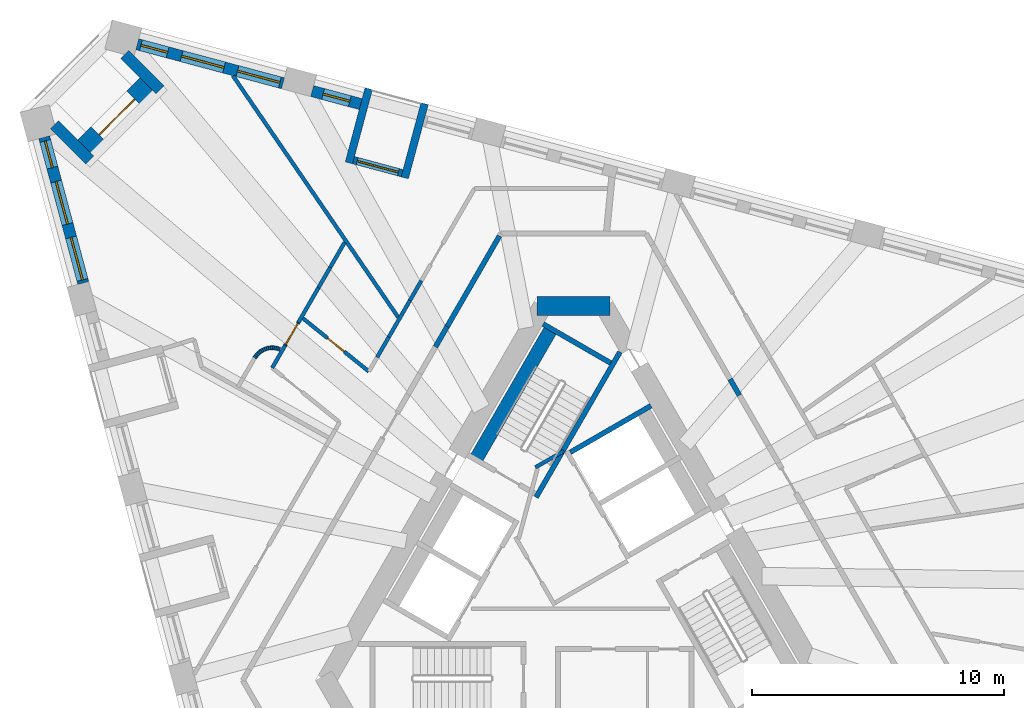
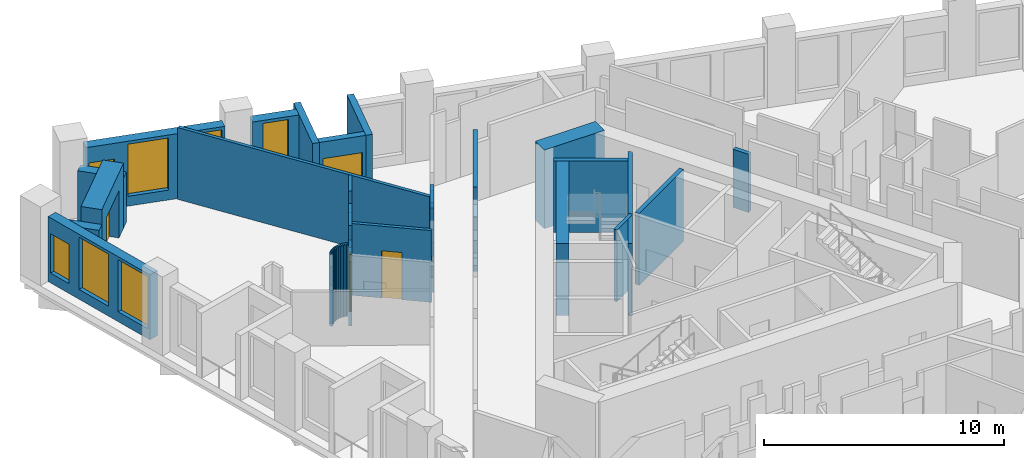
# One storey, part 7 of 13: 43 walls, 7 windows, 4 doors, 11 openings.
"""IFC4 building model written with IfcOpenShell, lengths in metres."""

from ifc_helpers import new_model, si_unit, direction, frame, frame_2d, origin, place, context, subcontext, project, spatial, rectangle, extrude, material, layer, layer_set, type_object, element, fill, save


model = new_model("IFC4")

# Units and contexts
model_context = context("Model", 3, precision=1e-05, world=origin(), true_north=direction((0.0, 1.0)))
body_context = subcontext(model_context, "Body", "Model", "MODEL_VIEW")
ifc_project = project(units=[si_unit("LENGTHUNIT", "METRE"), si_unit("AREAUNIT", "SQUARE_METRE"), si_unit("VOLUMEUNIT", "CUBIC_METRE"), si_unit("PLANEANGLEUNIT", "RADIAN"), si_unit("MASSUNIT", "GRAM", prefix="KILO")], contexts=[model_context])

# Site, building, storey
site_placement = place(None, origin())
site = spatial("IfcSite", under=ifc_project, at=site_placement, CompositionType="ELEMENT")
building_placement = place(site_placement, origin())
building = spatial("IfcBuilding", under=site, at=building_placement, Name="Tramontana Tower", CompositionType="ELEMENT")
storey_placement = place(building_placement, frame((0.0, 0.0, 216.0)))
storey = spatial("IfcBuildingStorey", under=building, at=storey_placement, Name="L50", CompositionType="ELEMENT", Elevation=216.0)

# Walls
ifc_material_1 = material(Name="Concrete 70 MPa", Category="concrete")
ifc_layer_1 = layer(ifc_material_1, 0.75)
ifc_layer_set_1 = layer_set([ifc_layer_1], Name="Core wall 750 70 MPa")
wall_type_1 = type_object("IfcWallType", Name="Core wall 750 70 MPa", PredefinedType="SHEAR", material=ifc_layer_set_1)
wall_1_placement = place(storey_placement, frame((1.443359375, 10.625, 0.0), z_axis=(0.0, 0.0, 1.0), x_axis=(-1.0, 0.0, 0.0)))
element("IfcWall", 1, at=wall_1_placement, inside=storey, type_object=wall_type_1, Name="Core wall C0 L50", PredefinedType="SHEAR", context=body_context, shape_type="SweptSolid", body=[
    extrude(rectangle(XDim=2.88671875, YDim=0.75, at=frame_2d((1.443359375, 0.0))), origin(), (0.0, 0.0, 1.0), 4.0),
])
ifc_material_2 = material(Name="Blockwork", Category="masonry")
ifc_layer_2 = layer(ifc_material_2, 0.199951171875)
ifc_layer_set_2 = layer_set([ifc_layer_2], Name="ENTRY WALL 200")
wall_type_2 = type_object("IfcWallType", Name="ENTRY WALL 200", PredefinedType="SOLIDWALL", material=ifc_layer_set_2)
wall_2_placement = place(storey_placement, frame((6.22412109375, 7.719482421875, 0.0), z_axis=(0.0, 0.0, 1.0), x_axis=(0.499931655587, -0.866064858854, 0.0)))
element("IfcWall", 2, at=wall_2_placement, inside=storey, type_object=wall_type_2, Name="Wall v51-ew0-3", PredefinedType="SOLIDWALL", context=body_context, shape_type="SweptSolid", body=[
    extrude(rectangle(XDim=0.74072265625, YDim=0.199951171875, at=frame_2d((0.370361328125, 0.0))), origin(), (0.0, 0.0, 1.0), 2.949951171875),
])
wall_3_placement = place(storey_placement, frame((-5.482666015625, 9.003662109375, 0.0), z_axis=(0.0, 0.0, 1.0), x_axis=(0.499971966783, 0.866041588165, 0.0)))
element("IfcWall", 3, at=wall_3_placement, inside=storey, type_object=wall_type_2, Name="Wall v51-ew4-11", PredefinedType="SOLIDWALL", context=body_context, shape_type="SweptSolid", body=[
    extrude(rectangle(XDim=0.931640625, YDim=0.199951171875, at=frame_2d((0.4658203125, 0.0))), origin(), (0.0, 0.0, 1.0), 2.75),
])
wall_4_placement = place(storey_placement, frame((-5.016845703125, 9.810546875, 0.0), z_axis=(0.0, 0.0, 1.0), x_axis=(0.499993700073, 0.866029041019, 0.0)))
element("IfcWall", 4, at=wall_4_placement, inside=storey, type_object=wall_type_2, Name="Wall v51-ew4-12", PredefinedType="SOLIDWALL", context=body_context, shape_type="SweptSolid", body=[
    extrude(rectangle(XDim=4.1552734375, YDim=0.199951171875, at=frame_2d((2.07763671875, 0.0))), origin(), (0.0, 0.0, 1.0), 3.64990234375),
])

# Wall, openings, windows
ifc_material_3 = material(Name="Precast concrete 60 MPa", Category="concrete")
ifc_layer_3 = layer(ifc_material_3, 0.449951171875)
ifc_layer_set_3 = layer_set([ifc_layer_3], Name="Precast concrete 60 MPa, 450 mm")
wall_type_3 = type_object("IfcWallType", Name="EW1 Stone-faced precast wall 450", PredefinedType="SOLIDWALL", material=ifc_layer_set_3)
wall_5_placement = place(storey_placement, frame((-21.027099609375, 17.3310546875, 0.0), z_axis=(0.0, 0.0, 1.0), x_axis=(0.258831089404, -0.965922598948, 0.0)))
wall_5 = element("IfcWall", 5, at=wall_5_placement, inside=storey, type_object=wall_type_3, Name="External wall L50 face 0 bay 1", PredefinedType="SOLIDWALL", context=body_context, shape_type="SweptSolid", body=[
    extrude(rectangle(XDim=5.994384765625, YDim=0.449951171875, at=frame_2d((2.9970703125, 0.0))), origin(), (0.0, 0.0, 1.0), 3.300048828125),
])
opening_1_placement = place(wall_5_placement, frame((0.14892578125, 0.0, 0.5)))
opening_1 = element("IfcOpeningElement", 6, at=opening_1_placement, cuts=wall_5, Name="Opening N2L", PredefinedType="OPENING", context=body_context, shape_type="SweptSolid", body=[
    extrude(rectangle(XDim=1.10009765625, YDim=2.0, at=frame_2d((0.550048828125, 1.0))), frame((0.0, 0.23486328125, 0.0), z_axis=(0.0, -1.0, 0.0), x_axis=(1.0, 0.0, 0.0)), (0.0, 0.0, 1.0), 0.469970703125),
])
opening_2_placement = place(wall_5_placement, frame((1.822021484375, 0.0, 0.5)))
opening_2 = element("IfcOpeningElement", 7, at=opening_2_placement, cuts=wall_5, Name="Opening M2", PredefinedType="OPENING", context=body_context, shape_type="SweptSolid", body=[
    extrude(rectangle(XDim=1.75, YDim=2.64990234375, at=frame_2d((0.875, 1.324951171875))), frame((0.0, 0.23486328125, 0.0), z_axis=(0.0, -1.0, 0.0), x_axis=(1.0, 0.0, 0.0)), (0.0, 0.0, 1.0), 0.469970703125),
])
opening_3_placement = place(wall_5_placement, frame((4.1201171875, 0.0, 0.5)))
opening_3 = element("IfcOpeningElement", 8, at=opening_3_placement, cuts=wall_5, Name="Opening M2", PredefinedType="OPENING", context=body_context, shape_type="SweptSolid", body=[
    extrude(rectangle(XDim=1.75, YDim=2.64990234375, at=frame_2d((0.875, 1.324951171875))), frame((0.0, 0.23486328125, 0.0), z_axis=(0.0, -1.0, 0.0), x_axis=(1.0, 0.0, 0.0)), (0.0, 0.0, 1.0), 0.469970703125),
])
ifc_material_4 = material(Name="Aluminum frame, double glazing unit", Category="aluminium")
window_type_1 = type_object("IfcWindowType", Name="M2 Window 1.75 x 2.65", PartitioningType="SINGLE_PANEL", PredefinedType="WINDOW", material=ifc_material_4)
window_1_placement = place(opening_2_placement, origin())
window_1 = element("IfcWindow", 9, at=window_1_placement, inside=storey, type_object=window_type_1, Name="Window M2 L50 face 0 module 2", OverallHeight=2.64990234375, OverallWidth=1.75, PartitioningType="SINGLE_PANEL", PredefinedType="WINDOW", context=body_context, shape_type="SweptSolid", body=[
    extrude(rectangle(XDim=1.75, YDim=2.64990234375, at=frame_2d((0.875, 1.324951171875))), frame((0.0, 0.030029296875, 0.0), z_axis=(0.0, -1.0, 0.0), x_axis=(1.0, 0.0, 0.0)), (0.0, 0.0, 1.0), 0.06005859375),
])
fill(opening_2, window_1)
window_2_placement = place(opening_3_placement, origin())
window_2 = element("IfcWindow", 10, at=window_2_placement, inside=storey, type_object=window_type_1, Name="Window M2 L50 face 0 module 3", OverallHeight=2.64990234375, OverallWidth=1.75, PartitioningType="SINGLE_PANEL", PredefinedType="WINDOW", context=body_context, shape_type="SweptSolid", body=[
    extrude(rectangle(XDim=1.75, YDim=2.64990234375, at=frame_2d((0.875, 1.324951171875))), frame((0.0, 0.030029296875, 0.0), z_axis=(0.0, -1.0, 0.0), x_axis=(1.0, 0.0, 0.0)), (0.0, 0.0, 1.0), 0.06005859375),
])
fill(opening_3, window_2)
ifc_material_5 = material(Name="Aluminum frame, double glazing unit", Category="aluminium")
window_type_2 = type_object("IfcWindowType", Name="N2L Window 1.1 x 2", PartitioningType="SINGLE_PANEL", PredefinedType="WINDOW", material=ifc_material_5)
window_3_placement = place(opening_1_placement, origin())
window_3 = element("IfcWindow", 11, at=window_3_placement, inside=storey, type_object=window_type_2, Name="Window N2L L50 face 0 module 1", OverallHeight=2.0, OverallWidth=1.10009765625, PartitioningType="SINGLE_PANEL", PredefinedType="WINDOW", context=body_context, shape_type="SweptSolid", body=[
    extrude(rectangle(XDim=1.10009765625, YDim=2.0, at=frame_2d((0.550048828125, 1.0))), frame((0.0, 0.030029296875, 0.0), z_axis=(0.0, -1.0, 0.0), x_axis=(1.0, 0.0, 0.0)), (0.0, 0.0, 1.0), 0.06005859375),
])
fill(opening_1, window_3)

# Wall, opening, window
wall_6_placement = place(storey_placement, frame((-8.451904296875, 18.64794921875, 0.0), z_axis=(0.0, 0.0, 1.0), x_axis=(-0.96593005298, 0.258803270362, 0.0)))
wall_6 = element("IfcWall", 12, at=wall_6_placement, inside=storey, type_object=wall_type_3, Name="External wall L50 face 2 bay 5", PredefinedType="SOLIDWALL", context=body_context, shape_type="SweptSolid", body=[
    extrude(rectangle(XDim=1.998046875, YDim=0.449951171875, at=frame_2d((0.9990234375, 0.0))), origin(), (0.0, 0.0, 1.0), 3.300048828125),
])
opening_4_placement = place(wall_6_placement, frame((0.448974609375, 0.0, 0.5)))
opening_4 = element("IfcOpeningElement", 13, at=opening_4_placement, cuts=wall_6, Name="Opening N2", PredefinedType="OPENING", context=body_context, shape_type="SweptSolid", body=[
    extrude(rectangle(XDim=1.10009765625, YDim=2.64990234375, at=frame_2d((0.550048828125, 1.324951171875))), frame((0.0, 0.23486328125, 0.0), z_axis=(0.0, -1.0, 0.0), x_axis=(1.0, 0.0, 0.0)), (0.0, 0.0, 1.0), 0.469970703125),
])
ifc_material_6 = material(Name="Aluminum frame, double glazing unit", Category="aluminium")
window_type_3 = type_object("IfcWindowType", Name="N2 Window 1.1 x 2.65", PartitioningType="SINGLE_PANEL", PredefinedType="WINDOW", material=ifc_material_6)
window_4_placement = place(opening_4_placement, origin())
window_4 = element("IfcWindow", 14, at=window_4_placement, inside=storey, type_object=window_type_3, Name="Window N2 L50 face 2 module 15", OverallHeight=2.64990234375, OverallWidth=1.10009765625, PartitioningType="SINGLE_PANEL", PredefinedType="WINDOW", context=body_context, shape_type="SweptSolid", body=[
    extrude(rectangle(XDim=1.10009765625, YDim=2.64990234375, at=frame_2d((0.550048828125, 1.324951171875))), frame((0.0, 0.030029296875, 0.0), z_axis=(0.0, -1.0, 0.0), x_axis=(1.0, 0.0, 0.0)), (0.0, 0.0, 1.0), 0.06005859375),
])
fill(opening_4, window_4)

# Wall, openings, windows
wall_7_placement = place(storey_placement, frame((-11.541015625, 19.4755859375, 0.0), z_axis=(0.0, 0.0, 1.0), x_axis=(-0.965922598948, 0.258831089404, 0.0)))
wall_7 = element("IfcWall", 15, at=wall_7_placement, inside=storey, type_object=wall_type_3, Name="External wall L50 face 2 bay 6", PredefinedType="SOLIDWALL", context=body_context, shape_type="SweptSolid", body=[
    extrude(rectangle(XDim=5.994384765625, YDim=0.449951171875, at=frame_2d((2.9970703125, 0.0))), origin(), (0.0, 0.0, 1.0), 3.300048828125),
])
opening_5_placement = place(wall_7_placement, frame((0.1240234375, 0.0, 0.5)))
opening_5 = element("IfcOpeningElement", 16, at=opening_5_placement, cuts=wall_7, Name="Opening M2", PredefinedType="OPENING", context=body_context, shape_type="SweptSolid", body=[
    extrude(rectangle(XDim=1.75, YDim=2.64990234375, at=frame_2d((0.875, 1.324951171875))), frame((0.0, 0.23486328125, 0.0), z_axis=(0.0, -1.0, 0.0), x_axis=(1.0, 0.0, 0.0)), (0.0, 0.0, 1.0), 0.469970703125),
])
opening_6_placement = place(wall_7_placement, frame((2.422119140625, 0.0, 0.5)))
opening_6 = element("IfcOpeningElement", 17, at=opening_6_placement, cuts=wall_7, Name="Opening M2", PredefinedType="OPENING", context=body_context, shape_type="SweptSolid", body=[
    extrude(rectangle(XDim=1.75, YDim=2.64990234375, at=frame_2d((0.875, 1.324951171875))), frame((0.0, 0.23486328125, 0.0), z_axis=(0.0, -1.0, 0.0), x_axis=(1.0, 0.0, 0.0)), (0.0, 0.0, 1.0), 0.469970703125),
])
opening_7_placement = place(wall_7_placement, frame((4.7451171875, 0.0, 0.5)))
opening_7 = element("IfcOpeningElement", 18, at=opening_7_placement, cuts=wall_7, Name="Opening N2L", PredefinedType="OPENING", context=body_context, shape_type="SweptSolid", body=[
    extrude(rectangle(XDim=1.10009765625, YDim=2.0, at=frame_2d((0.550048828125, 1.0))), frame((0.0, 0.23486328125, 0.0), z_axis=(0.0, -1.0, 0.0), x_axis=(1.0, 0.0, 0.0)), (0.0, 0.0, 1.0), 0.469970703125),
])
window_5_placement = place(opening_5_placement, origin())
window_5 = element("IfcWindow", 19, at=window_5_placement, inside=storey, type_object=window_type_1, Name="Window M2 L50 face 2 module 16", OverallHeight=2.64990234375, OverallWidth=1.75, PartitioningType="SINGLE_PANEL", PredefinedType="WINDOW", context=body_context, shape_type="SweptSolid", body=[
    extrude(rectangle(XDim=1.75, YDim=2.64990234375, at=frame_2d((0.875, 1.324951171875))), frame((0.0, 0.030029296875, 0.0), z_axis=(0.0, -1.0, 0.0), x_axis=(1.0, 0.0, 0.0)), (0.0, 0.0, 1.0), 0.06005859375),
])
fill(opening_5, window_5)
window_6_placement = place(opening_6_placement, origin())
window_6 = element("IfcWindow", 20, at=window_6_placement, inside=storey, type_object=window_type_1, Name="Window M2 L50 face 2 module 17", OverallHeight=2.64990234375, OverallWidth=1.75, PartitioningType="SINGLE_PANEL", PredefinedType="WINDOW", context=body_context, shape_type="SweptSolid", body=[
    extrude(rectangle(XDim=1.75, YDim=2.64990234375, at=frame_2d((0.875, 1.324951171875))), frame((0.0, 0.030029296875, 0.0), z_axis=(0.0, -1.0, 0.0), x_axis=(1.0, 0.0, 0.0)), (0.0, 0.0, 1.0), 0.06005859375),
])
fill(opening_6, window_6)
window_7_placement = place(opening_7_placement, origin())
window_7 = element("IfcWindow", 21, at=window_7_placement, inside=storey, type_object=window_type_2, Name="Window N2L L50 face 2 module 18", OverallHeight=2.0, OverallWidth=1.10009765625, PartitioningType="SINGLE_PANEL", PredefinedType="WINDOW", context=body_context, shape_type="SweptSolid", body=[
    extrude(rectangle(XDim=1.10009765625, YDim=2.0, at=frame_2d((0.550048828125, 1.0))), frame((0.0, 0.030029296875, 0.0), z_axis=(0.0, -1.0, 0.0), x_axis=(1.0, 0.0, 0.0)), (0.0, 0.0, 1.0), 0.06005859375),
])
fill(opening_7, window_7)

# Walls
for number, where, z_axis, x_axis, name in (
    (22, (-20.615234375, 17.822021484375, 0.0), (0.0, 0.0, 1.0), (0.70716845375, -0.707045103244, 0.0), "Corner loggia side wall L50 K50l"),
    (23, (-17.822021484375, 20.615234375, 0.0), (0.0, 0.0, 1.0), (0.707045103244, -0.70716845375, 0.0), "Corner loggia side wall L50 K50r"),
):
    element("IfcWall", number, at=place(storey_placement, frame(where, z_axis=z_axis, x_axis=x_axis)), inside=storey, type_object=wall_type_3, Name=name, PredefinedType="SOLIDWALL", context=body_context, shape_type="SweptSolid", body=[
        extrude(rectangle(XDim=1.979248046875, YDim=0.449951171875, at=frame_2d((0.98974609375, 0.0))), origin(), (0.0, 0.0, 1.0), 2.550048828125),
    ])

# Wall, opening, door
ifc_material_7 = material(Name="Precast concrete 60 MPa", Category="concrete")
ifc_layer_4 = layer(ifc_material_7, 0.89990234375)
ifc_layer_set_4 = layer_set([ifc_layer_4], Name="EW2 Stone-faced corner loggia wall 900")
wall_type_4 = type_object("IfcWallType", Name="EW2 Stone-faced corner loggia wall 900", PredefinedType="SOLIDWALL", material=ifc_layer_set_4)
wall_8_placement = place(storey_placement, frame((-19.374755859375, 16.89990234375, 0.0), z_axis=(0.0, 0.0, 1.0), x_axis=(0.707106781187, 0.707106781187, 0.0)))
wall_8 = element("IfcWall", 24, at=wall_8_placement, inside=storey, type_object=wall_type_4, Name="Corner loggia wall L50 K50", PredefinedType="SOLIDWALL", context=body_context, shape_type="SweptSolid", body=[
    extrude(rectangle(XDim=3.5, YDim=0.89990234375, at=frame_2d((1.75, 0.0))), origin(), (0.0, 0.0, 1.0), 3.300048828125),
])
opening_8_placement = place(wall_8_placement, frame((0.75, 0.0, 0.0)))
opening_8 = element("IfcOpeningElement", 25, at=opening_8_placement, cuts=wall_8, Name="Opening BD-50C", PredefinedType="OPENING", context=body_context, shape_type="SweptSolid", body=[
    extrude(rectangle(XDim=2.0, YDim=2.39990234375, at=frame_2d((1.0, 1.199951171875))), frame((0.0, 0.4599609375, 0.0), z_axis=(0.0, -1.0, 0.0), x_axis=(1.0, 0.0, 0.0)), (0.0, 0.0, 1.0), 0.919921875),
])
ifc_material_8 = material(Name="Aluminum frame, double glazing unit", Category="aluminium")
door_type_1 = type_object("IfcDoorType", Name="BC1 Sliding door 2 x 2.4", OperationType="SLIDING_TO_LEFT", PredefinedType="DOOR", material=ifc_material_8)
door_1_placement = place(opening_8_placement, origin())
door_1 = element("IfcDoor", 26, at=door_1_placement, inside=storey, type_object=door_type_1, Name="Corner loggia door L50 K50", OperationType="SLIDING_TO_LEFT", OverallHeight=2.39990234375, OverallWidth=2.0, PredefinedType="DOOR", context=body_context, shape_type="SweptSolid", body=[
    extrude(rectangle(XDim=2.0, YDim=2.39990234375, at=frame_2d((1.0, 1.199951171875))), frame((0.0, 0.02490234375, 0.0), z_axis=(0.0, -1.0, 0.0), x_axis=(1.0, 0.0, 0.0)), (0.0, 0.0, 1.0), 0.050048828125),
])
fill(opening_8, door_1)

ifc_material_9 = material(Name="Precast concrete 60 MPa", Category="concrete")
ifc_layer_5 = layer(ifc_material_9, 0.300048828125)
ifc_layer_set_5 = layer_set([ifc_layer_5], Name="LW1 Stone-faced loggia wall 300")
wall_type_5 = type_object("IfcWallType", Name="LW1 Stone-faced loggia wall 300", PredefinedType="SOLIDWALL", material=ifc_layer_set_5)
wall_9_placement = place(storey_placement, frame((-6.80810546875, 15.904052734375, 0.0), z_axis=(0.0, 0.0, 1.0), x_axis=(-0.96593005298, 0.258803270362, 0.0)))
wall_9 = element("IfcWall", 27, at=wall_9_placement, inside=storey, type_object=wall_type_5, Name="Loggia wall L50 G5S2.13", PredefinedType="SOLIDWALL", context=body_context, shape_type="SweptSolid", body=[
    extrude(rectangle(XDim=1.998046875, YDim=0.300048828125, at=frame_2d((0.9990234375, 0.0))), origin(), (0.0, 0.0, 1.0), 3.300048828125),
])
opening_9_placement = place(wall_9_placement, frame((0.14892578125, 0.0, 0.0)))
opening_9 = element("IfcOpeningElement", 28, at=opening_9_placement, cuts=wall_9, Name="Opening BD-5S2-13", PredefinedType="OPENING", context=body_context, shape_type="SweptSolid", body=[
    extrude(rectangle(XDim=1.699951171875, YDim=2.449951171875, at=frame_2d((0.85009765625, 1.22509765625))), frame((0.0, 0.159912109375, 0.0), z_axis=(0.0, -1.0, 0.0), x_axis=(1.0, 0.0, 0.0)), (0.0, 0.0, 1.0), 0.320068359375),
])
ifc_material_10 = material(Name="Aluminum frame, double glazing unit", Category="aluminium")
door_type_2 = type_object("IfcDoorType", Name="BD2 Sliding door 1.7 x 2.45", OperationType="SLIDING_TO_LEFT", PredefinedType="DOOR", material=ifc_material_10)
door_2_placement = place(opening_9_placement, origin())
door_2 = element("IfcDoor", 29, at=door_2_placement, inside=storey, type_object=door_type_2, Name="Loggia door L50 G5S2.13", OperationType="SLIDING_TO_LEFT", OverallHeight=2.449951171875, OverallWidth=1.699951171875, PredefinedType="DOOR", context=body_context, shape_type="SweptSolid", body=[
    extrude(rectangle(XDim=1.699951171875, YDim=2.449951171875, at=frame_2d((0.85009765625, 1.22509765625))), frame((0.0, 0.02490234375, 0.0), z_axis=(0.0, -1.0, 0.0), x_axis=(1.0, 0.0, 0.0)), (0.0, 0.0, 1.0), 0.050048828125),
])
fill(opening_9, door_2)

# Walls
wall_10_placement = place(storey_placement, frame((-5.91259765625, 18.666259765625, 0.0), z_axis=(0.0, 0.0, 1.0), x_axis=(-0.258793435045, -0.965932688119, 0.0)))
element("IfcWall", 30, at=wall_10_placement, inside=storey, type_object=wall_type_5, Name="Loggia return L50 G5S2.13a", PredefinedType="SOLIDWALL", context=body_context, shape_type="SweptSolid", body=[
    extrude(rectangle(XDim=3.050048828125, YDim=0.300048828125, at=frame_2d((1.52490234375, 0.0))), origin(), (0.0, 0.0, 1.0), 3.300048828125),
])
wall_11_placement = place(storey_placement, frame((-8.13232421875, 19.26123046875, 0.0), z_axis=(0.0, 0.0, 1.0), x_axis=(-0.25877342651, -0.9659380486, 0.0)))
element("IfcWall", 31, at=wall_11_placement, inside=storey, type_object=wall_type_5, Name="Loggia return L50 G5S2.13b", PredefinedType="SOLIDWALL", context=body_context, shape_type="SweptSolid", body=[
    extrude(rectangle(XDim=3.05029296875, YDim=0.300048828125, at=frame_2d((1.525146484375, 0.0))), origin(), (0.0, 0.0, 1.0), 3.300048828125),
])
ifc_material_11 = material(Name="Gypsum board partition")
ifc_layer_6 = layer(ifc_material_11, 0.14990234375)
ifc_layer_set_6 = layer_set([ifc_layer_6], Name="PARTITION 150")
wall_type_6 = type_object("IfcWallType", Name="PARTITION 150", PredefinedType="PARTITIONING", material=ifc_layer_set_6)
wall_12_placement = place(storey_placement, frame((-1.509765625, 4.21484375, 0.0), z_axis=(0.0, 0.0, 1.0), x_axis=(0.866085525409, 0.49989585183, 0.0)))
element("IfcWall", 32, at=wall_12_placement, inside=storey, type_object=wall_type_6, Name="Wall ff-end1", PredefinedType="PARTITIONING", context=body_context, shape_type="SweptSolid", body=[
    extrude(rectangle(XDim=1.300048828125, YDim=0.14990234375, at=frame_2d((0.64990234375, 0.0))), origin(), (0.0, 0.0, 1.0), 3.64990234375),
])
wall_13_placement = place(storey_placement, frame((-13.529296875, 19.775390625, 0.0), z_axis=(0.0, 0.0, 1.0), x_axis=(0.564646262408, -0.825333022694, 0.0)))
element("IfcWall", 33, at=wall_13_placement, inside=storey, type_object=wall_type_6, Name="Wall v51-pw04", PredefinedType="PARTITIONING", context=body_context, shape_type="SweptSolid", body=[
    extrude(rectangle(XDim=11.622314453125, YDim=0.14990234375, at=frame_2d((5.81103515625, 0.0))), origin(), (0.0, 0.0, 1.0), 3.64990234375),
])
for number, where, z_axis, x_axis, name in (
    (34, (-12.6630859375, 8.567138671875, 0.0), (0.0, 0.0, 1.0), (0.542854007109, 0.839827081586, 0.0), "Wall v51-pw06"),
    (35, (-12.62158203125, 8.631591796875, 0.0), (0.0, 0.0, 1.0), (0.619230234747, 0.785209472927, 0.0), "Wall v51-pw07"),
    (36, (-12.573974609375, 8.69189453125, 0.0), (0.0, 0.0, 1.0), (0.690932080847, 0.722919677182, 0.0), "Wall v51-pw08"),
    (37, (-12.52099609375, 8.7470703125, 0.0), (0.0, 0.0, 1.0), (0.7563204967, 0.654201273517, 0.0), "Wall v51-pw09"),
):
    element("IfcWall", number, at=place(storey_placement, frame(where, z_axis=z_axis, x_axis=x_axis)), inside=storey, type_object=wall_type_6, Name=name, PredefinedType="PARTITIONING", context=body_context, shape_type="SweptSolid", body=[
        extrude(rectangle(XDim=0.076416015625, YDim=0.14990234375, at=frame_2d((0.0380859375, 0.0))), origin(), (0.0, 0.0, 1.0), 3.64990234375),
    ])
wall_14_placement = place(storey_placement, frame((-12.462890625, 8.79736328125, 0.0), z_axis=(0.0, 0.0, 1.0), x_axis=(0.816967863265, 0.576683197599, 0.0)))
element("IfcWall", 38, at=wall_14_placement, inside=storey, type_object=wall_type_6, Name="Wall v51-pw10", PredefinedType="PARTITIONING", context=body_context, shape_type="SweptSolid", body=[
    extrude(rectangle(XDim=0.076171875, YDim=0.14990234375, at=frame_2d((0.0380859375, 0.0))), origin(), (0.0, 0.0, 1.0), 3.64990234375),
])
wall_15_placement = place(storey_placement, frame((-12.400390625, 8.841552734375, 0.0), z_axis=(0.0, 0.0, 1.0), x_axis=(0.868832233958, 0.49510660391, 0.0)))
element("IfcWall", 39, at=wall_15_placement, inside=storey, type_object=wall_type_6, Name="Wall v51-pw11", PredefinedType="PARTITIONING", context=body_context, shape_type="SweptSolid", body=[
    extrude(rectangle(XDim=0.076416015625, YDim=0.14990234375, at=frame_2d((0.0380859375, 0.0))), origin(), (0.0, 0.0, 1.0), 3.64990234375),
])
wall_16_placement = place(storey_placement, frame((-12.333984375, 8.879638671875, 0.0), z_axis=(0.0, 0.0, 1.0), x_axis=(0.91156333447, 0.411159685827, 0.0)))
element("IfcWall", 40, at=wall_16_placement, inside=storey, type_object=wall_type_6, Name="Wall v51-pw12", PredefinedType="PARTITIONING", context=body_context, shape_type="SweptSolid", body=[
    extrude(rectangle(XDim=0.07666015625, YDim=0.14990234375, at=frame_2d((0.038330078125, 0.0))), origin(), (0.0, 0.0, 1.0), 3.64990234375),
])
for number, where, z_axis, x_axis, name in (
    (41, (-12.263916015625, 8.9111328125, 0.0), (0.0, 0.0, 1.0), (0.946421377636, 0.322934321423, 0.0), "Wall v51-pw13"),
    (42, (-12.19140625, 8.935791015625, 0.0), (0.0, 0.0, 1.0), (0.973249512577, 0.229750704608, 0.0), "Wall v51-pw14"),
):
    element("IfcWall", number, at=place(storey_placement, frame(where, z_axis=z_axis, x_axis=x_axis)), inside=storey, type_object=wall_type_6, Name=name, PredefinedType="PARTITIONING", context=body_context, shape_type="SweptSolid", body=[
        extrude(rectangle(XDim=0.076416015625, YDim=0.14990234375, at=frame_2d((0.0380859375, 0.0))), origin(), (0.0, 0.0, 1.0), 3.64990234375),
    ])
wall_17_placement = place(storey_placement, frame((-12.116943359375, 8.953369140625, 0.0), z_axis=(0.0, 0.0, 1.0), x_axis=(0.990576477172, 0.136960734786, 0.0)))
element("IfcWall", 43, at=wall_17_placement, inside=storey, type_object=wall_type_6, Name="Wall v51-pw15", PredefinedType="PARTITIONING", context=body_context, shape_type="SweptSolid", body=[
    extrude(rectangle(XDim=0.07666015625, YDim=0.14990234375, at=frame_2d((0.038330078125, 0.0))), origin(), (0.0, 0.0, 1.0), 3.64990234375),
])
wall_18_placement = place(storey_placement, frame((-12.041015625, 8.9638671875, 0.0), z_axis=(0.0, 0.0, 1.0), x_axis=(0.999138596568, 0.041497769187, 0.0)))
element("IfcWall", 44, at=wall_18_placement, inside=storey, type_object=wall_type_6, Name="Wall v51-pw16", PredefinedType="PARTITIONING", context=body_context, shape_type="SweptSolid", body=[
    extrude(rectangle(XDim=0.076416015625, YDim=0.14990234375, at=frame_2d((0.0380859375, 0.0))), origin(), (0.0, 0.0, 1.0), 3.64990234375),
])
wall_19_placement = place(storey_placement, frame((-11.97021484375, 8.167236328125, 0.0), z_axis=(0.0, 0.0, 1.0), x_axis=(0.500089298231, 0.865973841288, 0.0)))
element("IfcWall", 45, at=wall_19_placement, inside=storey, type_object=wall_type_6, Name="Wall v51-pw17-0", PredefinedType="PARTITIONING", context=body_context, shape_type="SweptSolid", body=[
    extrude(rectangle(XDim=1.036865234375, YDim=0.14990234375, at=frame_2d((0.5185546875, 0.0))), origin(), (0.0, 0.0, 1.0), 3.64990234375),
])

# Wall, opening, door
wall_20_placement = place(storey_placement, frame((-11.45166015625, 9.065185546875, 0.0), z_axis=(0.0, 0.0, 1.0), x_axis=(0.499990860175, 0.866030680601, 0.0)))
wall_20 = element("IfcWall", 46, at=wall_20_placement, inside=storey, type_object=wall_type_6, Name="Wall v51-pw17-1", PredefinedType="PARTITIONING", context=body_context, shape_type="SweptSolid", body=[
    extrude(rectangle(XDim=1.0498046875, YDim=0.14990234375, at=frame_2d((0.52490234375, 0.0))), origin(), (0.0, 0.0, 1.0), 2.550048828125),
])
opening_10_placement = place(wall_20_placement, frame((0.050048828125, 0.0, 0.0)))
opening_10 = element("IfcOpeningElement", 47, at=opening_10_placement, cuts=wall_20, Name="Opening B5B-03", PredefinedType="OPENING", context=body_context, shape_type="SweptSolid", body=[
    extrude(rectangle(XDim=0.949951171875, YDim=2.39990234375, at=frame_2d((0.47509765625, 1.199951171875))), frame((0.0, 0.0849609375, 0.0), z_axis=(0.0, -1.0, 0.0), x_axis=(1.0, 0.0, 0.0)), (0.0, 0.0, 1.0), 0.169921875),
])
ifc_material_12 = material(Name="Painted timber", Category="wood")
door_type_3 = type_object("IfcDoorType", Name="DOOR ROOM 950", OperationType="SINGLE_SWING_LEFT", PredefinedType="DOOR", material=ifc_material_12)
door_3_placement = place(opening_10_placement, origin())
door_3 = element("IfcDoor", 48, at=door_3_placement, inside=storey, type_object=door_type_3, Name="Door B5B-03", OperationType="SINGLE_SWING_LEFT", OverallHeight=2.39990234375, OverallWidth=0.949951171875, PredefinedType="DOOR", context=body_context, shape_type="SweptSolid", body=[
    extrude(rectangle(XDim=0.949951171875, YDim=2.39990234375, at=frame_2d((0.47509765625, 1.199951171875))), frame((0.0, 0.02490234375, 0.0), z_axis=(0.0, -1.0, 0.0), x_axis=(1.0, 0.0, 0.0)), (0.0, 0.0, 1.0), 0.050048828125),
])
fill(opening_10, door_3)

# Walls
wall_21_placement = place(storey_placement, frame((-10.9267578125, 9.974365234375, 0.0), z_axis=(0.0, 0.0, 1.0), x_axis=(0.500075994846, 0.865981523694, 0.0)))
element("IfcWall", 49, at=wall_21_placement, inside=storey, type_object=wall_type_6, Name="Wall v51-pw17-2", PredefinedType="PARTITIONING", context=body_context, shape_type="SweptSolid", body=[
    extrude(rectangle(XDim=1.593994140625, YDim=0.14990234375, at=frame_2d((0.796875, 0.0))), origin(), (0.0, 0.0, 1.0), 3.64990234375),
])
wall_22_placement = place(storey_placement, frame((-10.129638671875, 11.354736328125, 0.0), z_axis=(0.0, 0.0, 1.0), x_axis=(0.500032811619, 0.866006459158, 0.0)))
element("IfcWall", 50, at=wall_22_placement, inside=storey, type_object=wall_type_6, Name="Wall v51-pw17-3", PredefinedType="PARTITIONING", context=body_context, shape_type="SweptSolid", body=[
    extrude(rectangle(XDim=0.9306640625, YDim=0.14990234375, at=frame_2d((0.46533203125, 0.0))), origin(), (0.0, 0.0, 1.0), 2.550048828125),
])
wall_23_placement = place(storey_placement, frame((-9.664306640625, 12.16064453125, 0.0), z_axis=(0.0, 0.0, 1.0), x_axis=(0.499937302424, 0.866061599221, 0.0)))
element("IfcWall", 51, at=wall_23_placement, inside=storey, type_object=wall_type_6, Name="Wall v51-pw17-4", PredefinedType="PARTITIONING", context=body_context, shape_type="SweptSolid", body=[
    extrude(rectangle(XDim=1.147705078125, YDim=0.14990234375, at=frame_2d((0.57373046875, 0.0))), origin(), (0.0, 0.0, 1.0), 3.64990234375),
])
for number, where, z_axis, x_axis, name in (
    (52, (-11.96435546875, 8.967041015625, 0.0), (0.0, 0.0, 1.0), (0.998528298879, -0.054233166393, 0.0), "Wall v51-pw18"),
    (53, (-11.8876953125, 8.962890625, 0.0), (0.0, 0.0, 1.0), (0.988629179635, -0.150374017614, 0.0), "Wall v51-pw19"),
    (54, (-11.81201171875, 8.951171875, 0.0), (0.0, 0.0, 1.0), (0.970142500145, -0.242535625036, 0.0), "Wall v51-pw20"),
    (55, (-11.737548828125, 8.9326171875, 0.0), (0.0, 0.0, 1.0), (0.940724143064, -0.33917265022, 0.0), "Wall v51-pw21"),
):
    element("IfcWall", number, at=place(storey_placement, frame(where, z_axis=z_axis, x_axis=x_axis)), inside=storey, type_object=wall_type_6, Name=name, PredefinedType="PARTITIONING", context=body_context, shape_type="SweptSolid", body=[
        extrude(rectangle(XDim=0.076416015625, YDim=0.14990234375, at=frame_2d((0.0380859375, 0.0))), origin(), (0.0, 0.0, 1.0), 3.64990234375),
    ])

# Wall, opening, door
wall_24_placement = place(storey_placement, frame((-10.7470703125, 10.13525390625, 0.0), z_axis=(0.0, 0.0, 1.0), x_axis=(0.778724340169, -0.627366242341, 0.0)))
wall_24 = element("IfcWall", 56, at=wall_24_placement, inside=storey, type_object=wall_type_6, Name="Wall v51-pw25", PredefinedType="PARTITIONING", context=body_context, shape_type="SweptSolid", body=[
    extrude(rectangle(XDim=3.361572265625, YDim=0.14990234375, at=frame_2d((1.6806640625, 0.0))), origin(), (0.0, 0.0, 1.0), 3.64990234375),
])
opening_11_placement = place(wall_24_placement, frame((1.255859375, 0.0, 0.0)))
opening_11 = element("IfcOpeningElement", 57, at=opening_11_placement, cuts=wall_24, Name="Opening B5B-02", PredefinedType="OPENING", context=body_context, shape_type="SweptSolid", body=[
    extrude(rectangle(XDim=0.85009765625, YDim=2.39990234375, at=frame_2d((0.425048828125, 1.199951171875))), frame((0.0, 0.0849609375, 0.0), z_axis=(0.0, -1.0, 0.0), x_axis=(1.0, 0.0, 0.0)), (0.0, 0.0, 1.0), 0.169921875),
])
ifc_material_13 = material(Name="Painted timber", Category="wood")
door_type_4 = type_object("IfcDoorType", Name="DOOR BATH 850", OperationType="SINGLE_SWING_LEFT", PredefinedType="DOOR", material=ifc_material_13)
door_4_placement = place(opening_11_placement, origin())
door_4 = element("IfcDoor", 58, at=door_4_placement, inside=storey, type_object=door_type_4, Name="Door B5B-02", OperationType="SINGLE_SWING_RIGHT", OverallHeight=2.39990234375, OverallWidth=0.85009765625, PredefinedType="DOOR", context=body_context, shape_type="SweptSolid", body=[
    extrude(rectangle(XDim=0.85009765625, YDim=2.39990234375, at=frame_2d((0.425048828125, 1.199951171875))), frame((0.0, 0.02490234375, 0.0), z_axis=(0.0, -1.0, 0.0), x_axis=(1.0, 0.0, 0.0)), (0.0, 0.0, 1.0), 0.050048828125),
])
fill(opening_11, door_4)

# Walls
wall_25_placement = place(storey_placement, frame((-7.801025390625, 8.58837890625, 0.0), z_axis=(0.0, 0.0, 1.0), x_axis=(0.500032811619, 0.866006459158, 0.0)))
element("IfcWall", 59, at=wall_25_placement, inside=storey, type_object=wall_type_6, Name="Wall v51-pw29-1", PredefinedType="PARTITIONING", context=body_context, shape_type="SweptSolid", body=[
    extrude(rectangle(XDim=0.9306640625, YDim=0.14990234375, at=frame_2d((0.46533203125, 0.0))), origin(), (0.0, 0.0, 1.0), 2.550048828125),
])
wall_26_placement = place(storey_placement, frame((-7.335693359375, 9.394287109375, 0.0), z_axis=(0.0, 0.0, 1.0), x_axis=(0.499974444137, 0.866040157966, 0.0)))
element("IfcWall", 60, at=wall_26_placement, inside=storey, type_object=wall_type_6, Name="Wall v51-pw29-2", PredefinedType="PARTITIONING", context=body_context, shape_type="SweptSolid", body=[
    extrude(rectangle(XDim=1.67724609375, YDim=0.14990234375, at=frame_2d((0.838623046875, 0.0))), origin(), (0.0, 0.0, 1.0), 3.64990234375),
])
wall_27_placement = place(storey_placement, frame((-6.4970703125, 10.846923828125, 0.0), z_axis=(0.0, 0.0, 1.0), x_axis=(0.500065807255, 0.865987406614, 0.0)))
element("IfcWall", 61, at=wall_27_placement, inside=storey, type_object=wall_type_6, Name="Wall v51-pw29-3", PredefinedType="PARTITIONING", context=body_context, shape_type="SweptSolid", body=[
    extrude(rectangle(XDim=0.90283203125, YDim=0.14990234375, at=frame_2d((0.451416015625, 0.0))), origin(), (0.0, 0.0, 1.0), 2.75),
])
ifc_material_14 = material(Name="Concrete 70 MPa", Category="concrete")
ifc_layer_7 = layer(ifc_material_14, 0.550048828125)
ifc_layer_set_7 = layer_set([ifc_layer_7], Name="Concrete 70 MPa, 550 mm")
wall_type_7 = type_object("IfcWallType", Name="RC SHAFT BACK WALL 550", PredefinedType="SOLIDWALL", material=ifc_layer_set_7)
wall_28_placement = place(storey_placement, frame((-0.831298828125, 9.81005859375, 0.0), z_axis=(0.0, 0.0, 1.0), x_axis=(-0.500009909098, -0.866019682689, 0.0)))
element("IfcWall", 62, at=wall_28_placement, inside=storey, type_object=wall_type_7, Name="Wall st1-back", PredefinedType="SOLIDWALL", context=body_context, shape_type="SweptSolid", body=[
    extrude(rectangle(XDim=6.199951171875, YDim=0.550048828125, at=frame_2d((3.10009765625, 0.0))), origin(), (0.0, 0.0, 1.0), 3.64990234375),
])
ifc_material_15 = material(Name="Concrete 70 MPa", Category="concrete")
ifc_layer_8 = layer(ifc_material_15, 0.199951171875)
ifc_layer_set_8 = layer_set([ifc_layer_8], Name="Concrete 70 MPa, 200 mm")
wall_type_8 = type_object("IfcWallType", Name="RC STAIR AND SHAFT WALL 200", PredefinedType="SOLIDWALL", material=ifc_layer_set_8)
wall_29_placement = place(storey_placement, frame((1.847412109375, 8.800048828125, 0.0), z_axis=(0.0, 0.0, 1.0), x_axis=(-0.499980354584, -0.866036745774, 0.0)))
element("IfcWall", 63, at=wall_29_placement, inside=storey, type_object=wall_type_8, Name="Wall st1-front", PredefinedType="SOLIDWALL", context=body_context, shape_type="SweptSolid", body=[
    extrude(rectangle(XDim=6.664794921875, YDim=0.199951171875, at=frame_2d((3.33251953125, 0.0))), origin(), (0.0, 0.0, 1.0), 3.64990234375),
])
wall_30_placement = place(storey_placement, frame((1.478515625, 8.36083984375, 0.0), z_axis=(0.0, 0.0, 1.0), x_axis=(-0.86600983753, 0.500026960575, 0.0)))
element("IfcWall", 64, at=wall_30_placement, inside=storey, type_object=wall_type_8, Name="Wall st1-far", PredefinedType="SOLIDWALL", context=body_context, shape_type="SweptSolid", body=[
    extrude(rectangle(XDim=3.099853515625, YDim=0.199951171875, at=frame_2d((1.5498046875, 0.0))), origin(), (0.0, 0.0, 1.0), 3.64990234375),
])
wall_31_placement = place(storey_placement, frame((-0.123046875, 4.813232421875, 0.0), z_axis=(0.0, 0.0, 1.0), x_axis=(0.866000971088, 0.500042316284, 0.0)))
element("IfcWall", 65, at=wall_31_placement, inside=storey, type_object=wall_type_8, Name="Wall row2-side2", PredefinedType="SOLIDWALL", context=body_context, shape_type="SweptSolid", body=[
    extrude(rectangle(XDim=3.699951171875, YDim=0.199951171875, at=frame_2d((1.85009765625, 0.0))), origin(), (0.0, 0.0, 1.0), 3.64990234375),
])

save(model, "model.ifc")
